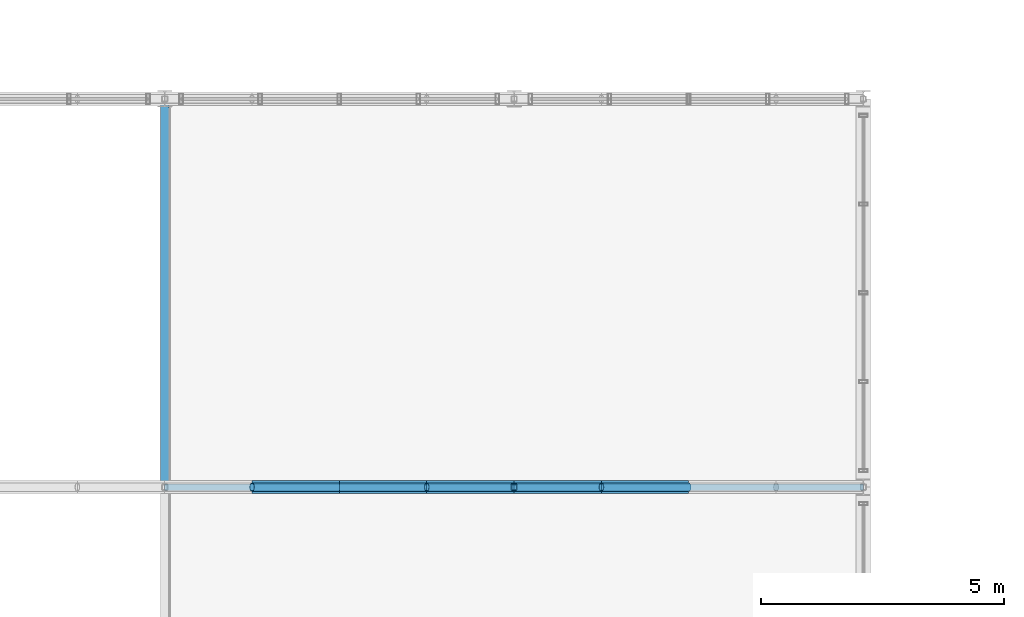
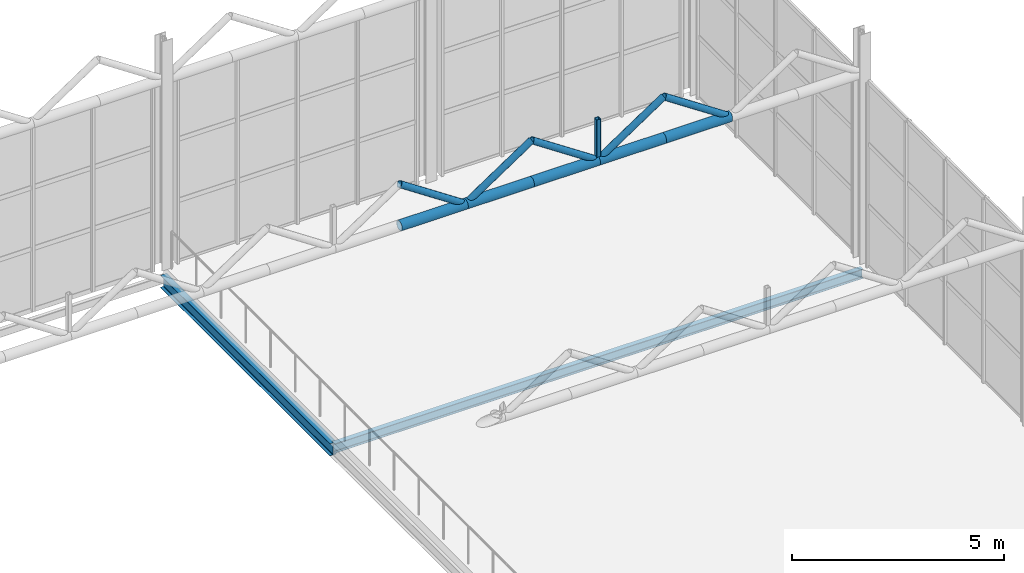
# One storey, part 96 of 153: 11 members, 2 beams.
"""IFC4 building model written with IfcOpenShell, lengths in metres."""

import ifcopenshell
import ifcopenshell.guid

model = None  # the IFC model being written
_history = None  # IfcOwnerHistory: only IFC2X3 demands one
_inside = {}  # id of a spatial element -> (the spatial element, [elements in it])
_under = {}  # id of a project, library or spatial element -> (it, [spatial elements below it])
_declared = {}  # id of a project -> (the project, [libraries it declares])
_typed = {}  # id of a type object -> (the type object, [elements of that type])
_made_of = {}  # id of a material, layer set ... -> (it, [elements and type objects made of it])


def new_model(schema):
    """Start an empty IFC model of exactly this schema.

    Asked for "IFC4X3", IfcOpenShell would pick the latest addendum, in which some entities
    have other attributes; the version numbers below select the first issue.
    IFC2X3 requires an IfcOwnerHistory on every rooted entity: one is made here for all.
    """
    global model, _history
    if schema == "IFC4X3":
        model = ifcopenshell.file(schema_version=(4, 3, 0, 0))
    else:
        model = ifcopenshell.file(schema=schema)
    _inside.clear()
    _under.clear()
    _declared.clear()
    _typed.clear()
    _made_of.clear()
    _history = None
    if model.schema == "IFC2X3":
        org = make("IfcOrganization", Name="unknown")
        user = make(
            "IfcPersonAndOrganization",
            ThePerson=make("IfcPerson", FamilyName="unknown"),
            TheOrganization=org,
        )
        app = make(
            "IfcApplication",
            ApplicationDeveloper=org,
            Version="unknown",
            ApplicationFullName="unknown",
            ApplicationIdentifier="unknown",
        )
        _history = make(
            "IfcOwnerHistory",
            OwningUser=user,
            OwningApplication=app,
            ChangeAction="ADDED",
            CreationDate=0,
        )
    return model


def make(cls, **values):
    """One entity of the class cls with the attributes given. An attribute that is None is left unset."""
    return model.create_entity(
        cls, **{name: value for name, value in values.items() if value is not None}
    )


def rooted(cls, **values):
    """An entity with a GlobalId (a new one), such as an element, a storey or a relation."""
    return make(cls, GlobalId=ifcopenshell.guid.new(), OwnerHistory=_history, **values)


def si_unit(unit_type, name, prefix=None):
    """IfcSIUnit, for example si_unit("LENGTHUNIT", "METRE", prefix="MILLI")."""
    return make("IfcSIUnit", UnitType=unit_type, Prefix=prefix, Name=name)


def derived_unit(unit_type, elements):
    """IfcDerivedUnit: a product of units, each with its exponent."""
    return make(
        "IfcDerivedUnit",
        Elements=[
            make("IfcDerivedUnitElement", Unit=unit, Exponent=power)
            for unit, power in elements
        ],
        UnitType=unit_type,
    )


def assignment(units):
    """IfcUnitAssignment: the units of a project."""
    return None if units is None else make("IfcUnitAssignment", Units=units)


def point(xyz):
    """IfcCartesianPoint."""
    return None if xyz is None else make("IfcCartesianPoint", Coordinates=xyz)


def direction(xyz):
    """IfcDirection."""
    return None if xyz is None else make("IfcDirection", DirectionRatios=xyz)


def frame(location, z_axis=None, x_axis=None):
    """IfcAxis2Placement3D, a coordinate frame: its origin and axes. An axis left out is left unset."""
    return make(
        "IfcAxis2Placement3D",
        Location=point(location),
        Axis=direction(z_axis),
        RefDirection=direction(x_axis),
    )


def frame_2d(location, x_axis=None):
    """IfcAxis2Placement2D, a coordinate frame in the plane: its origin and x axis."""
    return make(
        "IfcAxis2Placement2D", Location=point(location), RefDirection=direction(x_axis)
    )


def origin():
    """The frame at (0, 0, 0) with its axes left unset."""
    return frame((0.0, 0.0, 0.0))


def origin_2d():
    """The frame at (0, 0) in the plane with its x axis left unset."""
    return frame_2d((0.0, 0.0))


def place(relative_to, where):
    """IfcLocalPlacement: puts the frame where relative to a parent placement (None: the world)."""
    return make(
        "IfcLocalPlacement", PlacementRelTo=relative_to, RelativePlacement=where
    )


def context(
    kind, dimensions, precision=None, world=None, true_north=None, identifier=None
):
    """IfcGeometricRepresentationContext, for example the 3D "Model" context."""
    return make(
        "IfcGeometricRepresentationContext",
        ContextIdentifier=identifier,
        ContextType=kind,
        CoordinateSpaceDimension=dimensions,
        Precision=precision,
        WorldCoordinateSystem=world,
        TrueNorth=true_north,
    )


def subcontext(parent, identifier, kind, view, scale=None):
    """IfcGeometricRepresentationSubContext, for example "Body" below "Model"."""
    return make(
        "IfcGeometricRepresentationSubContext",
        ContextIdentifier=identifier,
        ContextType=kind,
        ParentContext=parent,
        TargetScale=scale,
        TargetView=view,
    )


def project(units=None, contexts=None):
    """IfcProject with its units and contexts."""
    return rooted(
        "IfcProject",
        Name="project",
        RepresentationContexts=contexts,
        UnitsInContext=assignment(units),
    )


def spatial(cls, under=None, at=None, **own):
    """A site, building, storey or space (cls), placed at a placement, below another one or the project."""
    s = rooted(cls, ObjectPlacement=at, **own)
    if under is not None:
        _under.setdefault(under.id(), (under, []))[1].append(s)
    return s


def profile(cls, at=None, kind="AREA", **sizes):
    """A parametric profile (cls). Its sizes go by their IFC names, for example OverallWidth=200.0."""
    return make(cls, ProfileType=kind, Position=at, **sizes)


def hollow_rectangle(**sizes):
    """IfcRectangleHollowProfileDef."""
    return profile("IfcRectangleHollowProfileDef", **sizes)


def hollow_circle(**sizes):
    """IfcCircleHollowProfileDef."""
    return profile("IfcCircleHollowProfileDef", **sizes)


def i_section(**sizes):
    """IfcIShapeProfileDef."""
    return profile("IfcIShapeProfileDef", **sizes)


def extrude(swept, where, along, depth):
    """IfcExtrudedAreaSolid: the profile swept, set in the frame where, extruded along a direction by depth."""
    return make(
        "IfcExtrudedAreaSolid",
        SweptArea=swept,
        Position=where,
        ExtrudedDirection=direction(along),
        Depth=depth,
    )


def shape(context_of_items, identifier, shape_type, items):
    """IfcShapeRepresentation: the items that make up one representation, for example the "Body"."""
    return make(
        "IfcShapeRepresentation",
        ContextOfItems=context_of_items,
        RepresentationIdentifier=identifier,
        RepresentationType=shape_type,
        Items=items,
    )


def material(Name=None, Category=None):
    """IfcMaterial."""
    return make("IfcMaterial", Name=Name, Category=Category)


def material_profile(
    of_material, cross_section, Name=None, Category=None, Priority=None
):
    """IfcMaterialProfile: a cross section and its material."""
    return make(
        "IfcMaterialProfile",
        Name=Name,
        Material=of_material,
        Profile=cross_section,
        Priority=Priority,
        Category=Category,
    )


def profile_set(profiles, Name=None, composite=None):
    """IfcMaterialProfileSet."""
    return make(
        "IfcMaterialProfileSet",
        Name=Name,
        MaterialProfiles=profiles,
        CompositeProfile=composite,
    )


def made_of(thing, what):
    """Note that an element or type object is made of a material, layer set ...; save() writes the relation."""
    if what is not None:
        _made_of.setdefault(what.id(), (what, []))[1].append(thing)
    return thing


def type_object(cls, material=None, **own):
    """A type object (cls), such as IfcWallType, which elements share."""
    return made_of(rooted(cls, **own), material)


def element(
    cls,
    number,
    at=None,
    inside=None,
    cuts=None,
    type_object=None,
    material=None,
    context=None,
    identifier="Body",
    shape_type=None,
    held_by="IfcProductDefinitionShape",
    body=None,
    shapes=None,
    **own,
):
    """One element of the class cls, such as IfcWall. Its Tag is "e" and its number.

    at: its placement. inside: the storey or other place that contains it. cuts: it is an
    opening in that element (IfcRelVoidsElement). A single representation is given by context,
    identifier, shape_type and body (its items); several are given by shapes. held_by: the class
    of the entity that holds the representations. save() writes the other relations.
    """
    e = rooted(cls, Tag="e%d" % number, ObjectPlacement=at, **own)
    if body is not None:
        shapes = [shape(context, identifier, shape_type, body)]
    if shapes is not None:
        e.Representation = make(held_by, Representations=shapes)
    if inside is not None:
        _inside.setdefault(inside.id(), (inside, []))[1].append(e)
    if cuts is not None:
        rooted(
            "IfcRelVoidsElement", RelatingBuildingElement=cuts, RelatedOpeningElement=e
        )
    if type_object is not None:
        _typed.setdefault(type_object.id(), (type_object, []))[1].append(e)
    return made_of(e, material)


def aggregate(whole, parts):
    """IfcRelAggregates: a whole, such as a stair, and the parts it consists of."""
    return rooted("IfcRelAggregates", RelatingObject=whole, RelatedObjects=parts)


def save(model, path):
    """Write the relations noted so far, then the file.

    IfcRelAggregates (storeys below a building ...), IfcRelContainedInSpatialStructure (elements
    in a storey), IfcRelDefinesByType, IfcRelAssociatesMaterial and IfcRelDeclares: one each for
    every whole, place, type object, material and project.
    """
    for whole, parts in _under.values():
        aggregate(whole, parts)
    for where, things in _inside.values():
        rooted(
            "IfcRelContainedInSpatialStructure",
            RelatedElements=things,
            RelatingStructure=where,
        )
    for kind, things in _typed.values():
        rooted("IfcRelDefinesByType", RelatedObjects=things, RelatingType=kind)
    for what, things in _made_of.values():
        rooted("IfcRelAssociatesMaterial", RelatedObjects=things, RelatingMaterial=what)
    for by, libraries in _declared.values():
        rooted("IfcRelDeclares", RelatingContext=by, RelatedDefinitions=libraries)
    model.write(path)


model = new_model("IFC4")

# Units and contexts
model_context = context("Model", 3, precision=1e-05, world=origin(), true_north=direction((0.0, 1.0)))
body_context = subcontext(model_context, "Body", "Model", "MODEL_VIEW")
ifc_project = project(units=[si_unit("LENGTHUNIT", "METRE"), si_unit("AREAUNIT", "SQUARE_METRE"), si_unit("VOLUMEUNIT", "CUBIC_METRE"), si_unit("PLANEANGLEUNIT", "RADIAN"), si_unit("MASSUNIT", "GRAM", prefix="KILO"), derived_unit("THERMALTRANSMITTANCEUNIT", [(si_unit("POWERUNIT", "WATT"), 1), (si_unit("LENGTHUNIT", "METRE"), -2), (si_unit("THERMODYNAMICTEMPERATUREUNIT", "KELVIN"), -1)])], contexts=[model_context])

# Site, building, storey
site_placement = place(None, origin())
site = spatial("IfcSite", under=ifc_project, at=site_placement, CompositionType="ELEMENT")
building_placement = place(site_placement, origin())
building = spatial("IfcBuilding", under=site, at=building_placement, Name="Keldorne Ridge Multi-Sports Centre", CompositionType="ELEMENT")
storey_placement = place(building_placement, frame((0.0, 0.0, 9.60009765625)))
storey = spatial("IfcBuildingStorey", under=building, at=storey_placement, Name="L02", CompositionType="ELEMENT", Elevation=9.60009765625)

# Beams
ifc_material = material(Name="Steel S355", Category="steel")
ifc_material_profile_1 = material_profile(ifc_material, i_section(OverallWidth=0.169921875, OverallDepth=0.360107421875, WebThickness=0.008056640625, FlangeThickness=0.0126953125, FilletRadius=0.01806640625, at=origin_2d()), Name="IPE 360")
ifc_profile_set_1 = profile_set([ifc_material_profile_1], Name="Steel S355")
beam_type_1 = type_object("IfcBeamType", Name="BM-B-05", PredefinedType="BEAM", material=ifc_profile_set_1)
beam_1_placement = place(storey_placement, frame((27.60009765625, 106.0, -0.420166015625), z_axis=(0.0, 1.0, 0.0), x_axis=(-1.0, 0.0, 0.0)))
element("IfcBeam", 1, at=beam_1_placement, inside=storey, type_object=beam_type_1, Name="L02 climbing gallery girder 106", PredefinedType="BEAM", context=body_context, shape_type="SweptSolid", body=[
    extrude(i_section(OverallWidth=0.169921875, OverallDepth=0.360107421875, WebThickness=0.008056640625, FlangeThickness=0.0126953125, FilletRadius=0.01806640625, at=origin_2d()), origin(), (0.0, 0.0, 1.0), 8.0),
])
ifc_material_profile_2 = material_profile(ifc_material, i_section(OverallWidth=0.135009765625, OverallDepth=0.27001953125, WebThickness=0.006591796875, FlangeThickness=0.01025390625, FilletRadius=0.014892578125, at=origin_2d()), Name="IPE 270")
ifc_profile_set_2 = profile_set([ifc_material_profile_2], Name="Steel S355")
beam_type_2 = type_object("IfcBeamType", Name="BM-J-03", PredefinedType="JOIST", material=ifc_profile_set_2)
beam_2_placement = place(storey_placement, frame((27.60009765625, 106.0, -0.375), z_axis=(1.0, 0.0, 0.0), x_axis=(0.0, 1.0, 0.0)))
element("IfcBeam", 2, at=beam_2_placement, inside=storey, type_object=beam_type_2, Name="L02 climbing gallery tie 106", PredefinedType="JOIST", context=body_context, shape_type="SweptSolid", body=[
    extrude(i_section(OverallWidth=0.135009765625, OverallDepth=0.27001953125, WebThickness=0.006591796875, FlangeThickness=0.01025390625, FilletRadius=0.014892578125, at=origin_2d()), origin(), (0.0, 0.0, 1.0), 14.39990234375),
])

# Members
ifc_material_profile_3 = material_profile(ifc_material, hollow_circle(Radius=0.136474609375, WallThickness=0.012451171875, at=origin_2d()), Name="CHS 273x12.5")
ifc_profile_set_3 = profile_set([ifc_material_profile_3], Name="Steel S355")
member_type_1 = type_object("IfcMemberType", Name="MEM-TC-05", PredefinedType="CHORD", material=ifc_profile_set_3)
for number, where, z_axis, x_axis, name in (
    (3, (29.39990234375, 106.0, 5.3798828125), (1.0, 0.0, 0.0), (0.0, 1.0, 0.0), "Climbing sawtooth ROOF TRUSS ST-05 bottom chord 14"),
    (4, (31.199951171875, 106.0, 5.3798828125), (1.0, 0.0, 0.0), (0.0, 1.0, 0.0), "Climbing sawtooth ROOF TRUSS ST-05 bottom chord 15"),
    (5, (33.0, 106.0, 5.3798828125), (1.0, 0.0, 0.0), (0.0, 1.0, 0.0), "Climbing sawtooth ROOF TRUSS ST-05 bottom chord 16"),
    (6, (34.800048828125, 106.0, 5.3798828125), (1.0, 0.0, 0.0), (0.0, 1.0, 0.0), "Climbing sawtooth ROOF TRUSS ST-05 bottom chord 17"),
):
    element("IfcMember", number, at=place(storey_placement, frame(where, z_axis=z_axis, x_axis=x_axis)), inside=storey, type_object=member_type_1, Name=name, PredefinedType="CHORD", context=body_context, shape_type="SweptSolid", body=[
        extrude(hollow_circle(Radius=0.136474609375, WallThickness=0.012451171875, at=origin_2d()), origin(), (0.0, 0.0, 1.0), 1.800048828125),
    ])
member_1_placement = place(storey_placement, frame((36.60009765625, 106.0, 5.3798828125), z_axis=(1.0, 0.0, 0.0), x_axis=(0.0, 1.0, 0.0)))
element("IfcMember", 7, at=member_1_placement, inside=storey, type_object=member_type_1, Name="Climbing sawtooth ROOF TRUSS ST-05 bottom chord 18", PredefinedType="CHORD", context=body_context, shape_type="SweptSolid", body=[
    extrude(hollow_circle(Radius=0.136474609375, WallThickness=0.012451171875, at=origin_2d()), origin(), (0.0, 0.0, 1.0), 1.7998046875),
])
ifc_material_profile_4 = material_profile(ifc_material, hollow_circle(Radius=0.0888671875, WallThickness=0.010009765625, at=origin_2d()), Name="CHS 177.8x10")
ifc_profile_set_4 = profile_set([ifc_material_profile_4], Name="Steel S355")
member_type_2 = type_object("IfcMemberType", Name="MEM-TD-03", PredefinedType="BRACE", material=ifc_profile_set_4)
for number, where, z_axis, x_axis, name in (
    (8, (29.39990234375, 106.0, 6.579833984375), (0.832067655982, 0.0, -0.554674152876), (0.0, 1.0, 0.0), "Climbing sawtooth web diagonal 05.14"),
    (9, (31.199951171875, 106.0, 5.3798828125), (0.832067655982, 0.0, 0.554674152876), (0.0, 1.0, 0.0), "Climbing sawtooth web diagonal 05.15"),
    (10, (33.0, 106.0, 6.579833984375), (0.832067655982, 0.0, -0.554674152876), (0.0, 1.0, 0.0), "Climbing sawtooth web diagonal 05.16"),
    (11, (34.800048828125, 106.0, 5.3798828125), (0.832067655982, 0.0, 0.554674152876), (0.0, 1.0, 0.0), "Climbing sawtooth web diagonal 05.17"),
):
    element("IfcMember", number, at=place(storey_placement, frame(where, z_axis=z_axis, x_axis=x_axis)), inside=storey, type_object=member_type_2, Name=name, PredefinedType="BRACE", context=body_context, shape_type="SweptSolid", body=[
        extrude(hollow_circle(Radius=0.0888671875, WallThickness=0.010009765625, at=origin_2d()), origin(), (0.0, 0.0, 1.0), 2.163330078125),
    ])
member_2_placement = place(storey_placement, frame((36.60009765625, 106.0, 6.579833984375), z_axis=(0.832032930248, 0.0, -0.554726241477), x_axis=(0.0, 1.0, 0.0)))
element("IfcMember", 12, at=member_2_placement, inside=storey, type_object=member_type_2, Name="Climbing sawtooth web diagonal 05.18", PredefinedType="BRACE", context=body_context, shape_type="SweptSolid", body=[
    extrude(hollow_circle(Radius=0.0888671875, WallThickness=0.010009765625, at=origin_2d()), origin(), (0.0, 0.0, 1.0), 2.1630859375),
])
ifc_material_profile_5 = material_profile(ifc_material, hollow_rectangle(XDim=0.1201171875, YDim=0.1201171875, WallThickness=0.008056640625, InnerFilletRadius=0.008056640625, OuterFilletRadius=0.01611328125, at=origin_2d()), Name="SHS 120x120x8")
ifc_profile_set_5 = profile_set([ifc_material_profile_5], Name="Steel S355")
member_type_3 = type_object("IfcMemberType", Name="MEM-TV-02", PredefinedType="STRUT", material=ifc_profile_set_5)
member_3_placement = place(storey_placement, frame((34.800048828125, 106.0, 5.3798828125), z_axis=(0.0, 0.0, 1.0), x_axis=(1.0, 0.0, 0.0)))
element("IfcMember", 13, at=member_3_placement, inside=storey, type_object=member_type_3, Name="Climbing sawtooth vertical strut 05.5", PredefinedType="STRUT", context=body_context, shape_type="SweptSolid", body=[
    extrude(hollow_rectangle(XDim=0.1201171875, YDim=0.1201171875, WallThickness=0.008056640625, InnerFilletRadius=0.008056640625, OuterFilletRadius=0.01611328125, at=origin_2d()), origin(), (0.0, 0.0, 1.0), 1.199951171875),
])

save(model, "model.ifc")
